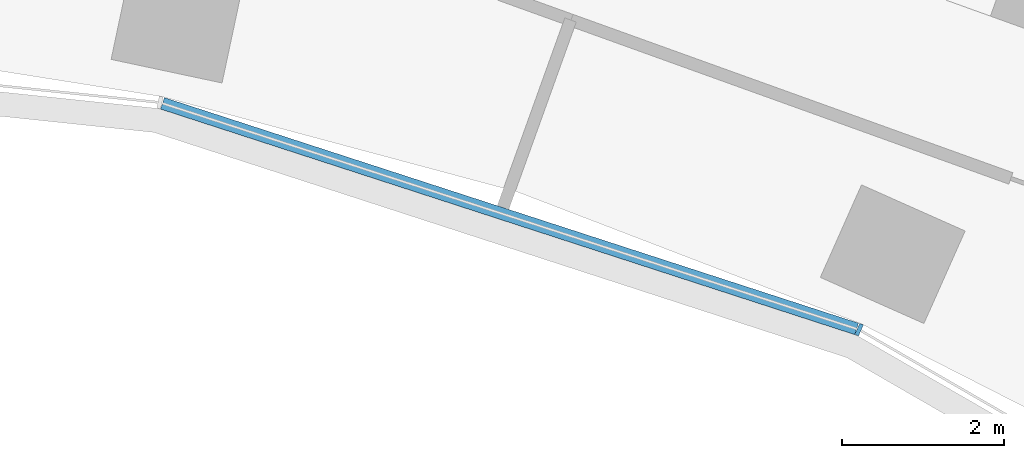
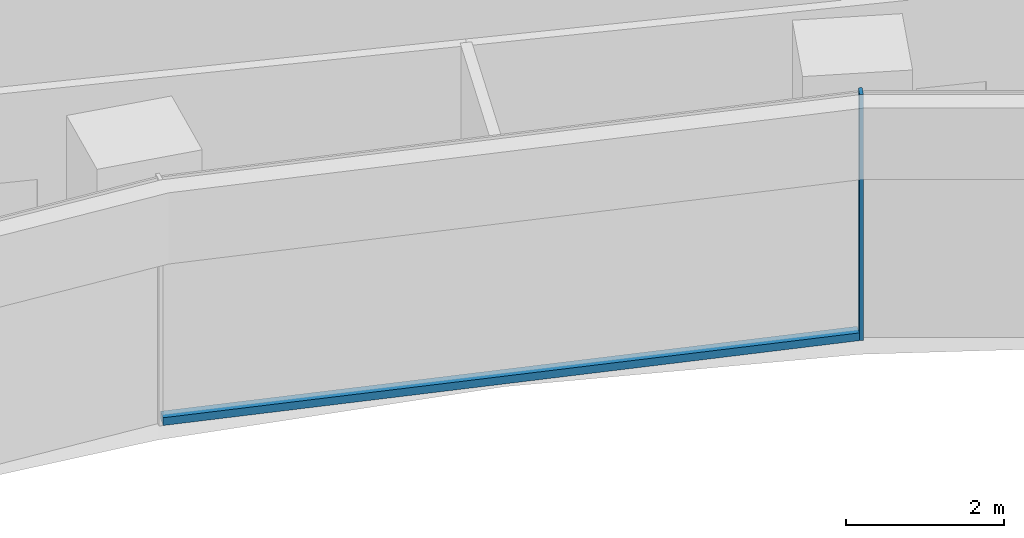
# One storey, part 9 of 21: 2 members, 1 element without a shape of its own.
"""IFC4 building model written with IfcOpenShell, lengths in metres."""

from ifc_helpers import new_model, si_unit, direction, frame, origin, origin_2d, place, context, subcontext, project, spatial, rectangle, extrude, material, layer, layer_set, material_profile, profile_set, type_object, element, aggregate, save


model = new_model("IFC4")

# Units and contexts
model_context = context("Model", 3, precision=1e-05, world=origin(), true_north=direction((0.0, 1.0)))
body_context = subcontext(model_context, "Body", "Model", "MODEL_VIEW")
ifc_project = project(units=[si_unit("LENGTHUNIT", "METRE"), si_unit("AREAUNIT", "SQUARE_METRE"), si_unit("VOLUMEUNIT", "CUBIC_METRE"), si_unit("PLANEANGLEUNIT", "RADIAN"), si_unit("MASSUNIT", "GRAM", prefix="KILO")], contexts=[model_context])

# Site, building, storey
site_placement = place(None, origin())
site = spatial("IfcSite", under=ifc_project, at=site_placement, CompositionType="ELEMENT")
building_placement = place(site_placement, origin())
building = spatial("IfcBuilding", under=site, at=building_placement, Name="Stone Belt Terrace Tower", CompositionType="ELEMENT")
storey_placement = place(building_placement, frame((0.0, 0.0, 37.60009765625)))
storey = spatial("IfcBuildingStorey", under=building, at=storey_placement, Name="L08", CompositionType="ELEMENT", Elevation=37.60009765625)

# Curtain wall, members
ifc_material = material(Name="Aluminium 6063-T6 anodised frame", Category="aluminium")
ifc_layer = layer(ifc_material, 0.14990234375)
ifc_layer_set = layer_set([ifc_layer], Name="CW-B unitised concave-face curtain wall")
curtain_wall_type = type_object("IfcCurtainWallType", Name="CW-B unitised concave-face curtain wall", PredefinedType="NOTDEFINED", material=ifc_layer_set)
curtain_wall_placement = place(storey_placement, origin())
curtain_wall = element("IfcCurtainWall", 1, at=curtain_wall_placement, inside=storey, type_object=curtain_wall_type, Name="CW-B concave face L08", PredefinedType="NOTDEFINED")
ifc_material_profile_1 = material_profile(ifc_material, rectangle(XDim=0.14990234375, YDim=0.050048828125, at=origin_2d()), Name="Aluminium 6063-T6 50x150")
ifc_profile_set_1 = profile_set([ifc_material_profile_1], Name="Aluminium 6063-T6 anodised frame")
member_type_1 = type_object("IfcMemberType", Name="CW-B mullion 50 x 150", PredefinedType="MULLION", material=ifc_profile_set_1)
member_1_placement = place(storey_placement, frame((17.662353515625, 39.67041015625, 0.0), z_axis=(0.0, 0.0, 1.0), x_axis=(0.406736643076, 0.913545457643, 0.0)))
member_1 = element("IfcMember", 2, at=member_1_placement, type_object=member_type_1, Name="CW-B mullion 8", PredefinedType="MULLION", context=body_context, shape_type="SweptSolid", body=[
    extrude(rectangle(XDim=0.14990234375, YDim=0.050048828125, at=origin_2d()), origin(), (0.0, 0.0, 1.0), 3.7998046875),
])
ifc_material_profile_2 = material_profile(ifc_material, rectangle(XDim=0.14990234375, YDim=0.1201171875, at=origin_2d()), Name="Aluminium 6063-T6 150x120")
ifc_profile_set_2 = profile_set([ifc_material_profile_2], Name="Aluminium 6063-T6 anodised frame")
member_type_2 = type_object("IfcMemberType", Name="CW-B transom 120 x 150", PredefinedType="USERDEFINED", material=ifc_profile_set_2)
member_2_placement = place(storey_placement, frame((9.0595703125, 42.465576171875, 0.059814453125), z_axis=(0.951055963285, -0.309018696359, 0.0), x_axis=(0.309018696359, 0.951055963285, 0.0)))
member_2 = element("IfcMember", 3, at=member_2_placement, type_object=member_type_2, Name="CW-B transom 7.1", ObjectType="TRANSOM", PredefinedType="USERDEFINED", context=body_context, shape_type="SweptSolid", body=[
    extrude(rectangle(XDim=0.14990234375, YDim=0.1201171875, at=origin_2d()), origin(), (0.0, 0.0, 1.0), 9.012939453125),
])
aggregate(curtain_wall, [member_1, member_2])

save(model, "model.ifc")
